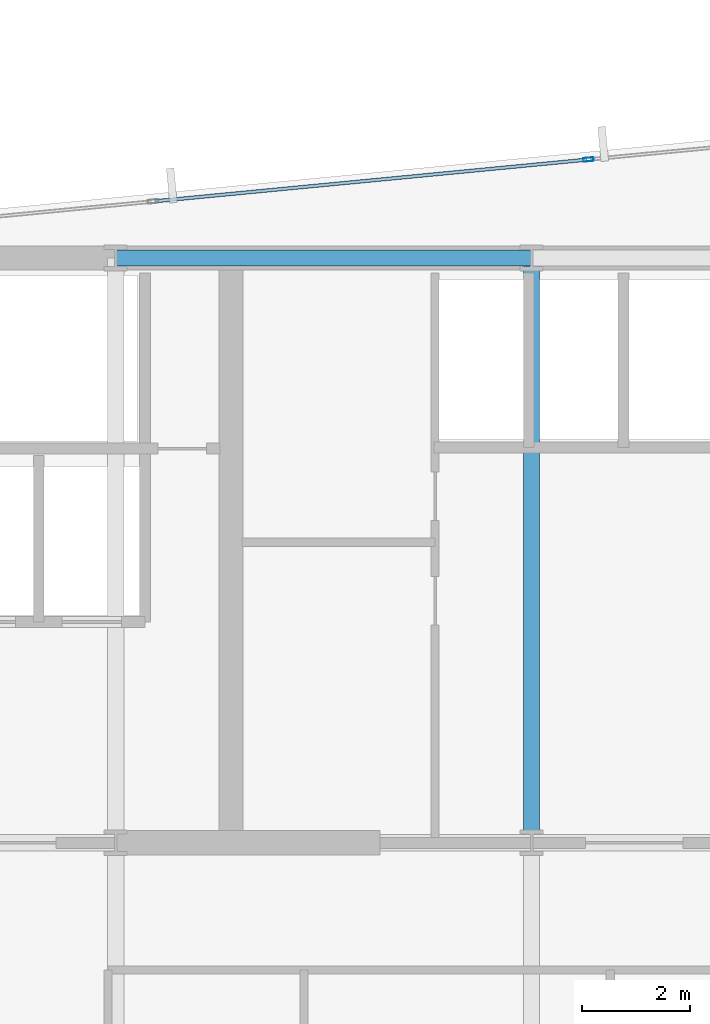
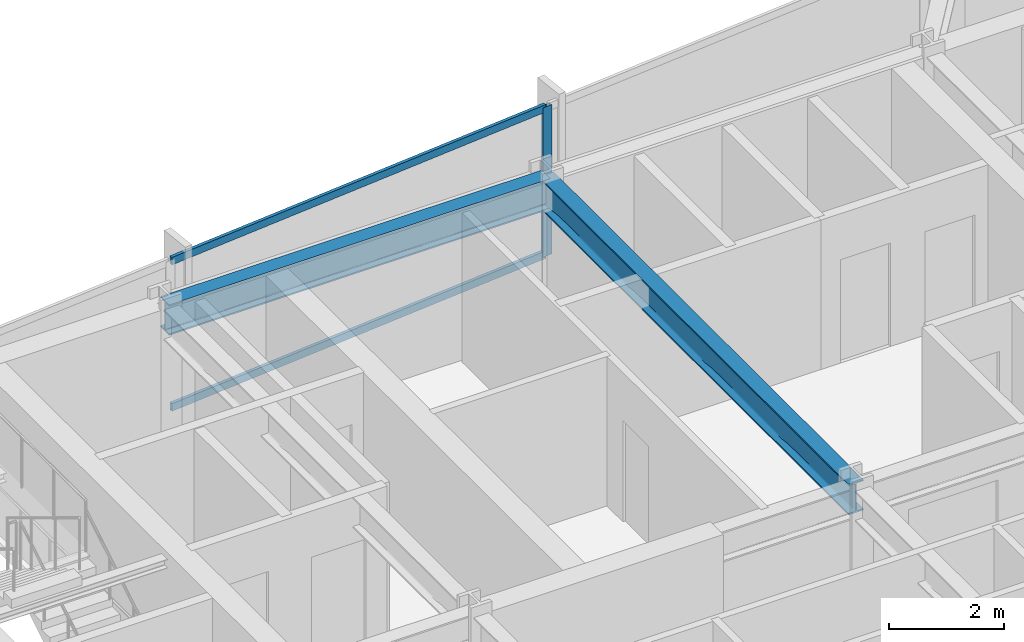
# One storey, part 19 of 32: 3 members, 2 beams, 1 element without a shape of its own.
"""IFC4 building model written with IfcOpenShell, lengths in metres."""

from ifc_helpers import new_model, si_unit, direction, frame, origin, origin_2d, place, context, subcontext, project, spatial, hollow_rectangle, i_section, extrude, material, material_profile, profile_set, type_object, element, aggregate, save


model = new_model("IFC4")

# Units and contexts
model_context = context("Model", 3, precision=1e-05, world=origin(), true_north=direction((0.0, 1.0)))
body_context = subcontext(model_context, "Body", "Model", "MODEL_VIEW")
ifc_project = project(units=[si_unit("LENGTHUNIT", "METRE"), si_unit("AREAUNIT", "SQUARE_METRE"), si_unit("VOLUMEUNIT", "CUBIC_METRE"), si_unit("PLANEANGLEUNIT", "RADIAN"), si_unit("MASSUNIT", "GRAM", prefix="KILO")], contexts=[model_context])

# Site, building, storey
site_placement = place(None, origin())
site = spatial("IfcSite", under=ifc_project, at=site_placement, CompositionType="ELEMENT")
building_placement = place(site_placement, origin())
building = spatial("IfcBuilding", under=site, at=building_placement, Name="Yelkora Congress Tower", CompositionType="ELEMENT")
storey_placement = place(building_placement, frame((0.0, 0.0, 120.300048828125)))
storey = spatial("IfcBuildingStorey", under=building, at=storey_placement, Name="L32", CompositionType="ELEMENT", Elevation=120.300048828125)

# Beams
ifc_material_1 = material(Name="Steel S355J2", Category="steel")
ifc_material_profile_1 = material_profile(ifc_material_1, i_section(OverallWidth=0.300048828125, OverallDepth=0.64990234375, WebThickness=0.01611328125, FlangeThickness=0.031005859375, FilletRadius=0.027099609375, at=origin_2d()), Name="HEB 650")
ifc_profile_set_1 = profile_set([ifc_material_profile_1], Name="Steel S355J2")
beam_type = type_object("IfcBeamType", Name="BM-GIRD-HEB650", PredefinedType="BEAM", material=ifc_profile_set_1)
beam_1_placement = place(storey_placement, frame((30.719970703125, 46.199951171875, 2.85498046875), z_axis=(1.0, 0.0, 0.0), x_axis=(0.0, 1.0, 0.0)))
element("IfcBeam", 1, at=beam_1_placement, inside=storey, type_object=beam_type, Name="L32 Core North Girder 3", PredefinedType="BEAM", context=body_context, shape_type="SweptSolid", body=[
    extrude(i_section(OverallWidth=0.300048828125, OverallDepth=0.64990234375, WebThickness=0.01611328125, FlangeThickness=0.031005859375, FilletRadius=0.027099609375, at=origin_2d()), origin(), (0.0, 0.0, 1.0), 7.679931640625),
])
beam_2_placement = place(storey_placement, frame((38.39990234375, 35.39990234375, 2.85498046875), z_axis=(0.0, 1.0, 0.0), x_axis=(-1.0, 0.0, 0.0)))
element("IfcBeam", 2, at=beam_2_placement, inside=storey, type_object=beam_type, Name="L32 Core Tie Girder MC-S3", PredefinedType="BEAM", context=body_context, shape_type="SweptSolid", body=[
    extrude(i_section(OverallWidth=0.300048828125, OverallDepth=0.64990234375, WebThickness=0.01611328125, FlangeThickness=0.031005859375, FilletRadius=0.027099609375, at=origin_2d()), origin(), (0.0, 0.0, 1.0), 10.800048828125),
])

# Curtain wall, members
ifc_material_2 = material(Name="Anodised aluminium and insulated glass", Category="aluminium")
curtain_wall_type = type_object("IfcCurtainWallType", Name="CW-SYS-B2", PredefinedType="NOTDEFINED", material=ifc_material_2)
curtain_wall_placement = place(storey_placement, origin())
curtain_wall = element("IfcCurtainWall", 3, at=curtain_wall_placement, inside=storey, type_object=curtain_wall_type, Name="L32 Unitised Curtain Wall 10 (3)", PredefinedType="NOTDEFINED")
ifc_material_3 = material(Name="Anodised aluminium 6063-T6", Category="aluminium")
ifc_material_profile_2 = material_profile(ifc_material_3, hollow_rectangle(XDim=0.070068359375, YDim=0.18994140625, WallThickness=0.00390625, at=origin_2d()), Name="ALU 70x190x4")
ifc_profile_set_2 = profile_set([ifc_material_profile_2], Name="Anodised aluminium 6063-T6")
member_type_1 = type_object("IfcMemberType", Name="MEM-ML-B2", PredefinedType="MULLION", material=ifc_profile_set_2)
member_1_placement = place(storey_placement, frame((39.451904296875, 48.018310546875, 0.0), z_axis=(0.0, 0.0, 1.0), x_axis=(-0.095844238468, 0.995396344153, 0.0)))
member_1 = element("IfcMember", 4, at=member_1_placement, type_object=member_type_1, Name="CW-B2 mullion 3", PredefinedType="MULLION", context=body_context, shape_type="SweptSolid", body=[
    extrude(hollow_rectangle(XDim=0.070068359375, YDim=0.18994140625, WallThickness=0.00390625, at=origin_2d()), origin(), (0.0, 0.0, 1.0), 3.179931640625),
])
ifc_material_profile_3 = material_profile(ifc_material_3, hollow_rectangle(XDim=0.06494140625, YDim=0.159912109375, WallThickness=0.00390625, at=origin_2d()), Name="ALU 65x160x4")
ifc_profile_set_3 = profile_set([ifc_material_profile_3], Name="Anodised aluminium 6063-T6")
member_type_2 = type_object("IfcMemberType", Name="MEM-TR-B2", PredefinedType="USERDEFINED", material=ifc_profile_set_3)
member_2_placement = place(storey_placement, frame((31.44677734375, 47.24755859375, 0.032470703125), z_axis=(0.995397793901, 0.09582918082, 0.0), x_axis=(-0.09582918082, 0.995397793901, 0.0)))
member_2 = element("IfcMember", 5, at=member_2_placement, type_object=member_type_2, Name="CW-B2 transom 2.1", ObjectType="TRANSOM", PredefinedType="USERDEFINED", context=body_context, shape_type="SweptSolid", body=[
    extrude(hollow_rectangle(XDim=0.06494140625, YDim=0.159912109375, WallThickness=0.00390625, at=origin_2d()), origin(), (0.0, 0.0, 1.0), 8.00732421875),
])
member_3_placement = place(storey_placement, frame((31.44677734375, 47.24755859375, 3.1474609375), z_axis=(0.995397793901, 0.09582918082, 0.0), x_axis=(-0.09582918082, 0.995397793901, 0.0)))
member_3 = element("IfcMember", 6, at=member_3_placement, type_object=member_type_2, Name="CW-B2 transom 2.2", ObjectType="TRANSOM", PredefinedType="USERDEFINED", context=body_context, shape_type="SweptSolid", body=[
    extrude(hollow_rectangle(XDim=0.06494140625, YDim=0.159912109375, WallThickness=0.00390625, at=origin_2d()), origin(), (0.0, 0.0, 1.0), 8.00732421875),
])
aggregate(curtain_wall, [member_1, member_2, member_3])

save(model, "model.ifc")
